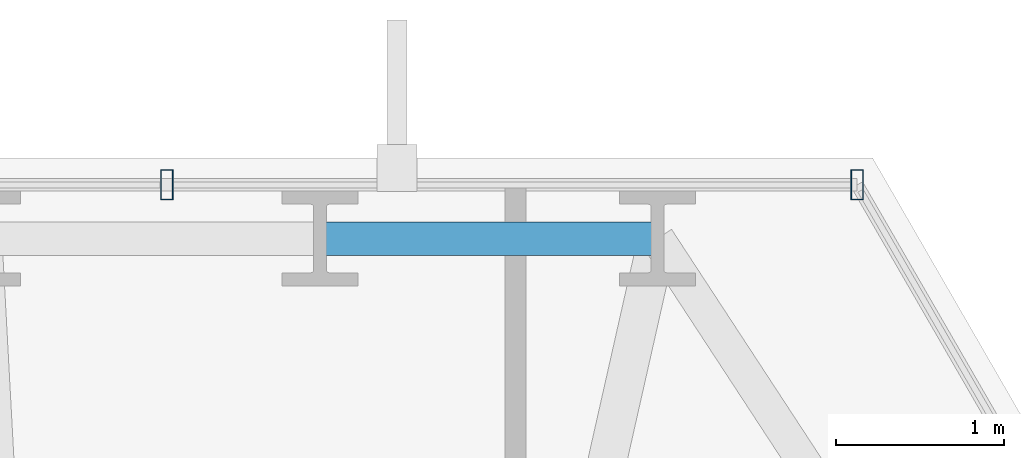
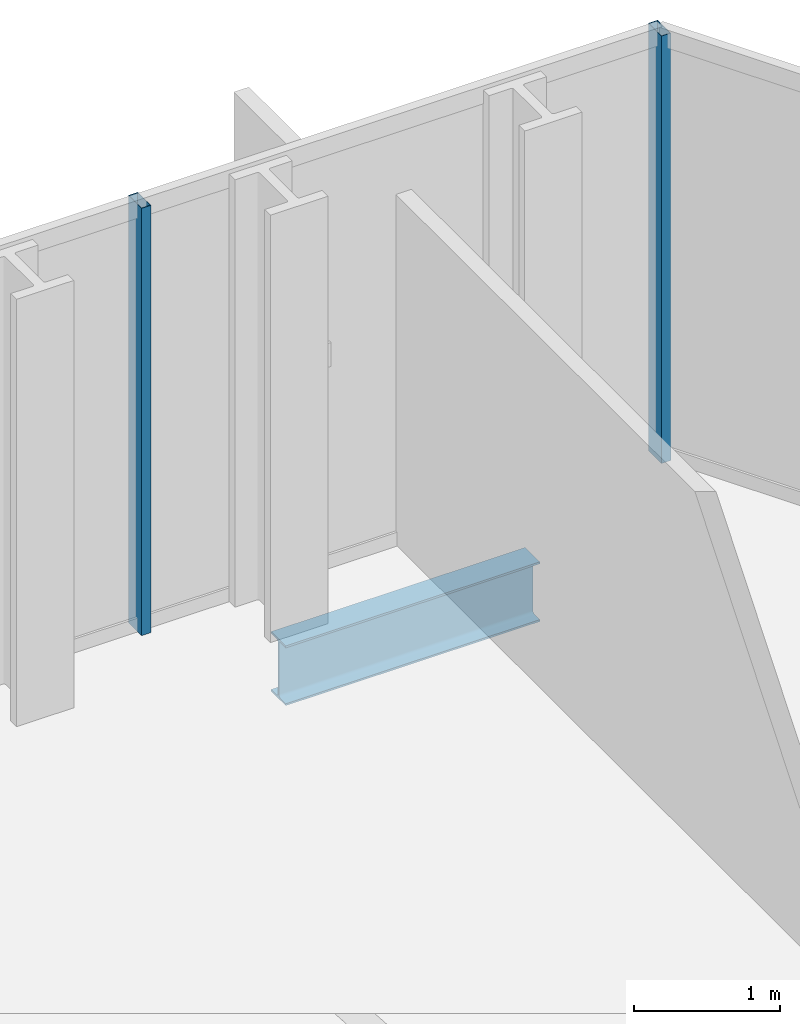
# One storey, part 24 of 33: 2 members, 1 beam, 1 element without a shape of its own.
"""IFC4 building model written with IfcOpenShell, lengths in metres."""

from ifc_helpers import new_model, si_unit, direction, frame, origin, origin_2d, place, context, subcontext, project, spatial, hollow_rectangle, i_section, extrude, material, layer, layer_set, material_profile, profile_set, type_object, element, aggregate, save


model = new_model("IFC4")

# Units and contexts
model_context = context("Model", 3, precision=1e-05, world=origin(), true_north=direction((0.0, 1.0)))
body_context = subcontext(model_context, "Body", "Model", "MODEL_VIEW")
ifc_project = project(units=[si_unit("LENGTHUNIT", "METRE"), si_unit("AREAUNIT", "SQUARE_METRE"), si_unit("VOLUMEUNIT", "CUBIC_METRE"), si_unit("PLANEANGLEUNIT", "RADIAN"), si_unit("MASSUNIT", "GRAM", prefix="KILO")], contexts=[model_context])

# Site, building, storey
site_placement = place(None, origin())
site = spatial("IfcSite", under=ifc_project, at=site_placement, CompositionType="ELEMENT")
building_placement = place(site_placement, origin())
building = spatial("IfcBuilding", under=site, at=building_placement, Name="Ndaravel Arena Tower", CompositionType="ELEMENT")
storey_placement = place(building_placement, frame((0.0, 0.0, 36.0)))
storey = spatial("IfcBuildingStorey", under=building, at=storey_placement, Name="L06", CompositionType="ELEMENT", Elevation=36.0)

# Beam
ifc_material_1 = material(Name="Steel S355", Category="steel")
ifc_material_profile_1 = material_profile(ifc_material_1, i_section(OverallWidth=0.199951171875, OverallDepth=0.5, WebThickness=0.01025390625, FlangeThickness=0.01611328125, FilletRadius=0.02099609375, at=origin_2d()), Name="IPE 500")
ifc_profile_set_1 = profile_set([ifc_material_profile_1], Name="Steel S355")
beam_type = type_object("IfcBeamType", Name="BM-SPAN-IPE500", PredefinedType="SPANDREL", material=ifc_profile_set_1)
beam_placement = place(storey_placement, frame((49.04736328125, 45.590087890625, -0.469970703125), z_axis=(-1.0, 0.0, 0.0), x_axis=(0.0, -1.0, 0.0)))
element("IfcBeam", 1, at=beam_placement, inside=storey, type_object=beam_type, Name="L06 Perimeter Spandrel Beam SP-11", PredefinedType="SPANDREL", context=body_context, shape_type="SweptSolid", body=[
    extrude(i_section(OverallWidth=0.199951171875, OverallDepth=0.5, WebThickness=0.01025390625, FlangeThickness=0.01611328125, FilletRadius=0.02099609375, at=origin_2d()), origin(), (0.0, 0.0, 1.0), 2.013671875),
])

# Curtain wall, members
ifc_material_2 = material(Name="Aluminium", Category="aluminium")
ifc_layer = layer(ifc_material_2, 0.179931640625)
ifc_layer_set = layer_set([ifc_layer], Name="Aluminium")
curtain_wall_type = type_object("IfcCurtainWallType", Name="CW-SYS-01", PredefinedType="NOTDEFINED", material=ifc_layer_set)
curtain_wall_placement = place(storey_placement, origin())
curtain_wall = element("IfcCurtainWall", 2, at=curtain_wall_placement, inside=storey, type_object=curtain_wall_type, Name="L06 Faceted Crystal Curtain Wall CW-L06-E04", PredefinedType="NOTDEFINED")
ifc_material_3 = material(Name="Aluminium", Category="aluminium")
ifc_material_profile_2 = material_profile(ifc_material_3, hollow_rectangle(XDim=0.074951171875, YDim=0.179931640625, WallThickness=0.00390625, at=origin_2d()), Name="CW MULLION 75x180x4")
ifc_profile_set_2 = profile_set([ifc_material_profile_2], Name="Aluminium")
member_type = type_object("IfcMemberType", Name="MEM-CW-MUL180", PredefinedType="MULLION", material=ifc_profile_set_2)
member_1_placement = place(storey_placement, frame((50.23876953125, 45.909912109375, 0.0), z_axis=(0.0, 0.0, 1.0), x_axis=(-1.0, 0.0, 0.0)))
member_1 = element("IfcMember", 3, at=member_1_placement, type_object=member_type, Name="CW-L06-E04 Mullion 00", PredefinedType="MULLION", context=body_context, shape_type="SweptSolid", body=[
    extrude(hollow_rectangle(XDim=0.074951171875, YDim=0.179931640625, WallThickness=0.00390625, at=origin_2d()), origin(), (0.0, 0.0, 1.0), 3.580078125),
])
member_2_placement = place(storey_placement, frame((46.119384765625, 45.909912109375, 0.0), z_axis=(0.0, 0.0, 1.0), x_axis=(-1.0, 0.0, 0.0)))
member_2 = element("IfcMember", 4, at=member_2_placement, type_object=member_type, Name="CW-L06-E04 Mullion 01", PredefinedType="MULLION", context=body_context, shape_type="SweptSolid", body=[
    extrude(hollow_rectangle(XDim=0.074951171875, YDim=0.179931640625, WallThickness=0.00390625, at=origin_2d()), origin(), (0.0, 0.0, 1.0), 3.580078125),
])
aggregate(curtain_wall, [member_1, member_2])

save(model, "model.ifc")
